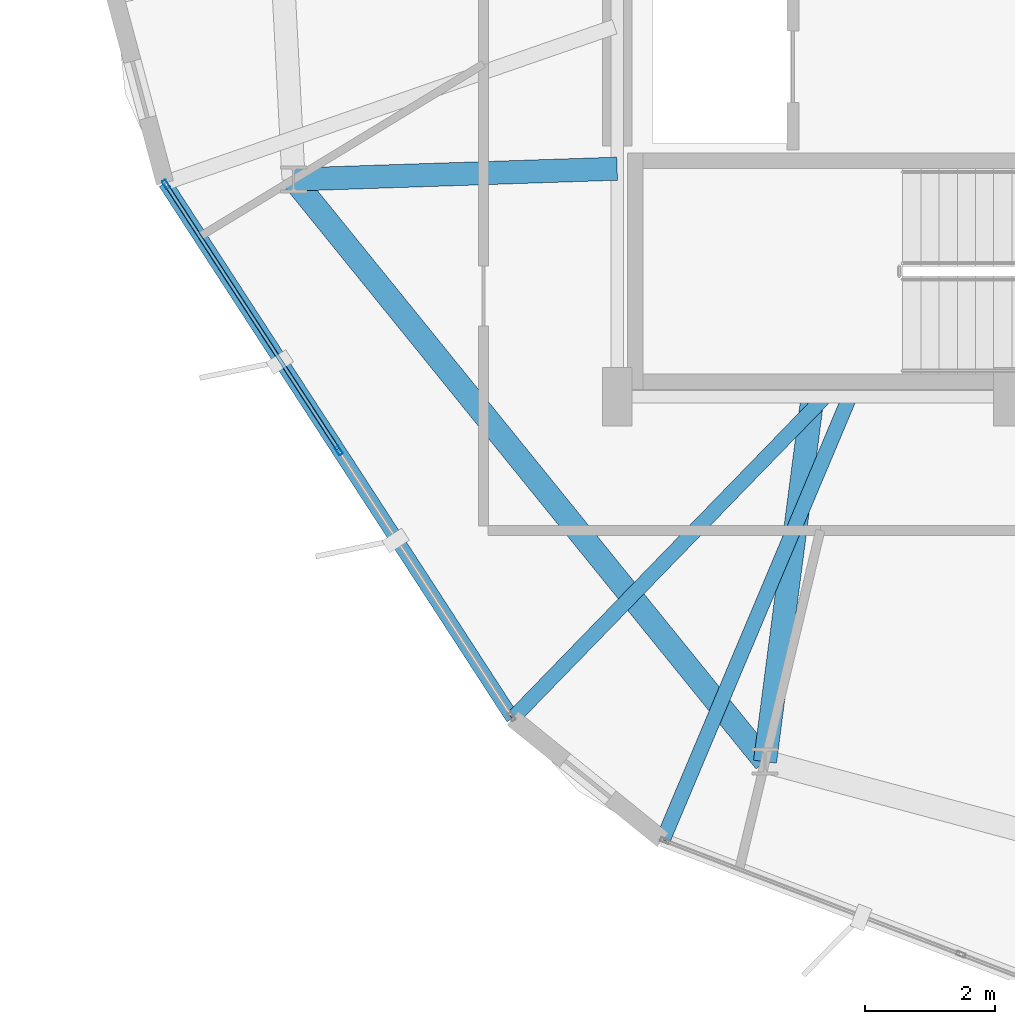
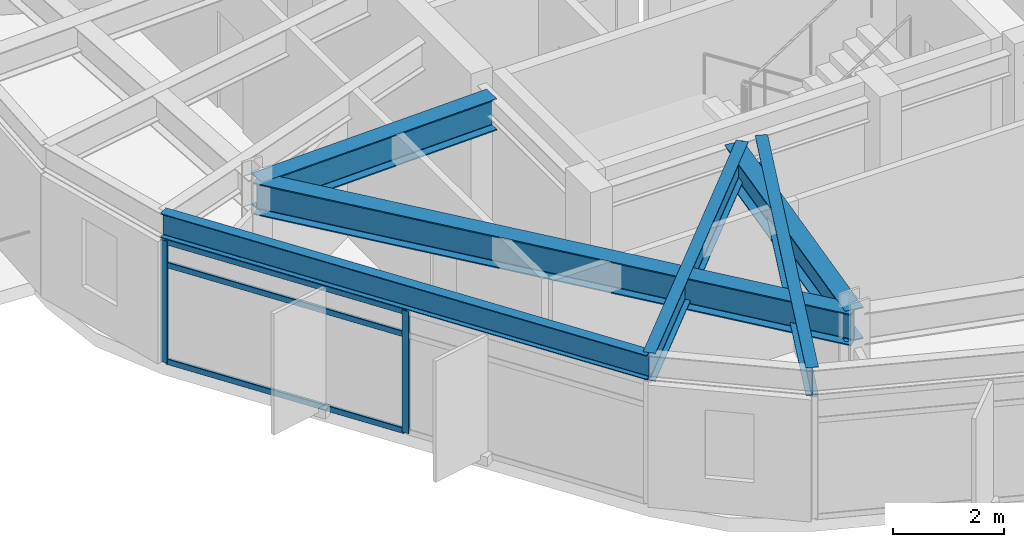
# One storey, part 3 of 29: 6 beams, 5 members, 1 element without a shape of its own.
"""IFC4 building model written with IfcOpenShell, lengths in metres."""

from ifc_helpers import new_model, si_unit, direction, frame, origin, origin_2d, place, context, subcontext, project, spatial, hollow_rectangle, i_section, extrude, material, layer, layer_set, material_profile, profile_set, type_object, element, aggregate, save


model = new_model("IFC4")

# Units and contexts
model_context = context("Model", 3, precision=1e-05, world=origin(), true_north=direction((0.0, 1.0)))
body_context = subcontext(model_context, "Body", "Model", "MODEL_VIEW")
ifc_project = project(units=[si_unit("LENGTHUNIT", "METRE"), si_unit("AREAUNIT", "SQUARE_METRE"), si_unit("VOLUMEUNIT", "CUBIC_METRE"), si_unit("PLANEANGLEUNIT", "RADIAN"), si_unit("MASSUNIT", "GRAM", prefix="KILO")], contexts=[model_context])

# Site, building, storey
site_placement = place(None, origin())
site = spatial("IfcSite", under=ifc_project, at=site_placement, CompositionType="ELEMENT")
building_placement = place(site_placement, origin())
building = spatial("IfcBuilding", under=site, at=building_placement, Name="Soratama Intermodal Tower", CompositionType="ELEMENT")
storey_placement = place(building_placement, frame((0.0, 0.0, 219.39990234375)))
storey = spatial("IfcBuildingStorey", under=building, at=storey_placement, Name="L55", CompositionType="ELEMENT", Elevation=219.39990234375)

# Beams
ifc_material_1 = material(Name="Structural steel ASTM A992 Grade 50", Category="steel")
ifc_material_profile_1 = material_profile(ifc_material_1, i_section(OverallWidth=0.35498046875, OverallDepth=0.695068359375, WebThickness=0.015380859375, FlangeThickness=0.02490234375, FilletRadius=0.01611328125, at=origin_2d()), Name="W27X146")
ifc_profile_set_1 = profile_set([ifc_material_profile_1], Name="Structural steel ASTM A992 Grade 50")
beam_type_1 = type_object("IfcBeamType", Name="BM-RING-W27X146", PredefinedType="BEAM", material=ifc_profile_set_1)
beam_1_placement = place(storey_placement, frame((27.635009765625, 18.333984375, 2.95263671875), z_axis=(0.629384551156, -0.777094001242, 0.0), x_axis=(0.777094001242, 0.629384551156, 0.0)))
element("IfcBeam", 1, at=beam_1_placement, inside=storey, type_object=beam_type_1, Name="BM-L55-RING-06", PredefinedType="BEAM", context=body_context, shape_type="SweptSolid", body=[
    extrude(i_section(OverallWidth=0.35498046875, OverallDepth=0.695068359375, WebThickness=0.015380859375, FlangeThickness=0.02490234375, FilletRadius=0.01611328125, at=origin_2d()), origin(), (0.0, 0.0, 1.0), 11.49560546875),
])
beam_2_placement = place(storey_placement, frame((32.60009765625, 18.5, 2.95263671875), z_axis=(-0.999441465401, -0.033417917907, 0.0), x_axis=(0.033417917907, -0.999441465401, 0.0)))
element("IfcBeam", 2, at=beam_2_placement, inside=storey, type_object=beam_type_1, Name="BM-L55-RAD-06", PredefinedType="BEAM", context=body_context, shape_type="SweptSolid", body=[
    extrude(i_section(OverallWidth=0.35498046875, OverallDepth=0.695068359375, WebThickness=0.015380859375, FlangeThickness=0.02490234375, FilletRadius=0.01611328125, at=origin_2d()), origin(), (0.0, 0.0, 1.0), 4.9677734375),
])
beam_3_placement = place(storey_placement, frame((35.60009765625, 15.0, 2.95263671875), z_axis=(-0.129280033694, -0.991608124658, 0.0), x_axis=(0.991608124658, -0.129280033694, 0.0)))
element("IfcBeam", 3, at=beam_3_placement, inside=storey, type_object=beam_type_1, Name="BM-L55-RAD-07", PredefinedType="BEAM", context=body_context, shape_type="SweptSolid", body=[
    extrude(i_section(OverallWidth=0.35498046875, OverallDepth=0.695068359375, WebThickness=0.015380859375, FlangeThickness=0.02490234375, FilletRadius=0.01611328125, at=origin_2d()), origin(), (0.0, 0.0, 1.0), 5.646484375),
])
ifc_material_2 = material(Name="Structural steel ASTM A992 Grade 50", Category="steel")
ifc_material_profile_2 = material_profile(ifc_material_2, i_section(OverallWidth=0.2099609375, OverallDepth=0.537109375, WebThickness=0.010986328125, FlangeThickness=0.017333984375, FilletRadius=0.012939453125, at=origin_2d()), Name="W21X68")
ifc_profile_set_2 = profile_set([ifc_material_profile_2], Name="Structural steel ASTM A992 Grade 50")
beam_type_2 = type_object("IfcBeamType", Name="BM-SPN-W21X68", PredefinedType="SPANDREL", material=ifc_profile_set_2)
beam_4_placement = place(storey_placement, frame((25.662109375, 18.282958984375, 3.031494140625), z_axis=(0.544619556087, -0.838683217388, 0.0), x_axis=(0.838683217388, 0.544619556087, 0.0)))
element("IfcBeam", 4, at=beam_4_placement, inside=storey, type_object=beam_type_2, Name="BS-L55-F05", PredefinedType="SPANDREL", context=body_context, shape_type="SweptSolid", body=[
    extrude(i_section(OverallWidth=0.2099609375, OverallDepth=0.537109375, WebThickness=0.010986328125, FlangeThickness=0.017333984375, FilletRadius=0.012939453125, at=origin_2d()), origin(), (0.0, 0.0, 1.0), 9.797607421875),
])
ifc_material_3 = material(Name="Structural steel ASTM A992 Grade 50", Category="steel")
ifc_material_profile_3 = material_profile(ifc_material_3, i_section(OverallWidth=0.22900390625, OverallDepth=0.612060546875, WebThickness=0.011962890625, FlangeThickness=0.01953125, FilletRadius=0.012939453125, at=origin_2d()), Name="W24X84")
ifc_profile_set_3 = profile_set([ifc_material_profile_3], Name="Structural steel ASTM A992 Grade 50")
beam_type_3 = type_object("IfcBeamType", Name="BM-TIE-W24X84", PredefinedType="BEAM", material=ifc_profile_set_3)
beam_5_placement = place(storey_placement, frame((35.760986328125, 14.970947265625, 2.994140625), z_axis=(-0.696639220958, -0.71742163044, 0.0), x_axis=(0.71742163044, -0.696639220958, 0.0)))
element("IfcBeam", 5, at=beam_5_placement, inside=storey, type_object=beam_type_3, Name="BM-L55-TIE1-05", PredefinedType="BEAM", context=body_context, shape_type="SweptSolid", body=[
    extrude(i_section(OverallWidth=0.22900390625, OverallDepth=0.612060546875, WebThickness=0.011962890625, FlangeThickness=0.01953125, FilletRadius=0.012939453125, at=origin_2d()), origin(), (0.0, 0.0, 1.0), 6.8369140625),
])
beam_6_placement = place(storey_placement, frame((36.153076171875, 14.962890625, 2.994140625), z_axis=(-0.388303831373, -0.921531407246, 0.0), x_axis=(0.921531407246, -0.388303831373, 0.0)))
element("IfcBeam", 6, at=beam_6_placement, inside=storey, type_object=beam_type_3, Name="BM-L55-TIE0-06", PredefinedType="BEAM", context=body_context, shape_type="SweptSolid", body=[
    extrude(i_section(OverallWidth=0.22900390625, OverallDepth=0.612060546875, WebThickness=0.011962890625, FlangeThickness=0.01953125, FilletRadius=0.012939453125, at=origin_2d()), origin(), (0.0, 0.0, 1.0), 7.33984375),
])

# Curtain wall, members
ifc_material_4 = material(Name="Double-glazed aluminium curtain wall", Category="aluminium")
ifc_layer = layer(ifc_material_4, 0.159912109375)
ifc_layer_set = layer_set([ifc_layer], Name="Double-glazed aluminium curtain wall")
curtain_wall_type = type_object("IfcCurtainWallType", Name="CW-SYS-5", PredefinedType="NOTDEFINED", material=ifc_layer_set)
curtain_wall_placement = place(storey_placement, origin())
curtain_wall = element("IfcCurtainWall", 7, at=curtain_wall_placement, inside=storey, type_object=curtain_wall_type, Name="L55 Faceted Curtain Wall F05", PredefinedType="NOTDEFINED")
ifc_material_5 = material(Name="Anodised aluminium AA 6063-T6", Category="aluminium")
ifc_material_profile_4 = material_profile(ifc_material_5, hollow_rectangle(XDim=0.06494140625, YDim=0.139892578125, WallThickness=0.0048828125, InnerFilletRadius=0.0048828125, OuterFilletRadius=0.010009765625, at=origin_2d()), Name="CWM140X65X5")
ifc_profile_set_4 = profile_set([ifc_material_profile_4], Name="Anodised aluminium AA 6063-T6")
member_type_1 = type_object("IfcMemberType", Name="MT-CWM-5", PredefinedType="MULLION", material=ifc_profile_set_4)
member_1_placement = place(storey_placement, frame((25.677978515625, 18.257568359375, 0.0), z_axis=(0.0, 0.0, 1.0), x_axis=(0.838669737789, 0.544640313342, 0.0)))
member_1 = element("IfcMember", 8, at=member_1_placement, type_object=member_type_1, Name="CW-5 mullion 1", PredefinedType="MULLION", context=body_context, shape_type="SweptSolid", body=[
    extrude(hollow_rectangle(XDim=0.06494140625, YDim=0.139892578125, WallThickness=0.0048828125, InnerFilletRadius=0.0048828125, OuterFilletRadius=0.010009765625, at=origin_2d()), origin(), (0.0, 0.0, 1.0), 2.67919921875),
])
member_2_placement = place(storey_placement, frame((28.32958984375, 14.17431640625, 0.0), z_axis=(0.0, 0.0, 1.0), x_axis=(0.838669737789, 0.544640313342, 0.0)))
member_2 = element("IfcMember", 9, at=member_2_placement, type_object=member_type_1, Name="CW-5 mullion 2", PredefinedType="MULLION", context=body_context, shape_type="SweptSolid", body=[
    extrude(hollow_rectangle(XDim=0.06494140625, YDim=0.139892578125, WallThickness=0.0048828125, InnerFilletRadius=0.0048828125, OuterFilletRadius=0.010009765625, at=origin_2d()), origin(), (0.0, 0.0, 1.0), 2.67919921875),
])
ifc_material_6 = material(Name="Anodised aluminium AA 6063-T6", Category="aluminium")
ifc_material_profile_5 = material_profile(ifc_material_6, hollow_rectangle(XDim=0.06005859375, YDim=0.1298828125, WallThickness=0.0048828125, InnerFilletRadius=0.0048828125, OuterFilletRadius=0.010009765625, at=origin_2d()), Name="CWT130X60X5")
ifc_profile_set_5 = profile_set([ifc_material_profile_5], Name="Anodised aluminium AA 6063-T6")
member_type_2 = type_object("IfcMemberType", Name="TT-CWT-2", PredefinedType="USERDEFINED", material=ifc_profile_set_5)
member_3_placement = place(storey_placement, frame((25.6943359375, 18.232421875, 0.030029296875), z_axis=(0.544654603171, -0.838660457661, 0.0), x_axis=(0.838660457661, 0.544654603171, 0.0)))
member_3 = element("IfcMember", 10, at=member_3_placement, type_object=member_type_2, Name="CW-5 transom 1.1", ObjectType="TRANSOM", PredefinedType="USERDEFINED", context=body_context, shape_type="SweptSolid", body=[
    extrude(hollow_rectangle(XDim=0.06005859375, YDim=0.1298828125, WallThickness=0.0048828125, InnerFilletRadius=0.0048828125, OuterFilletRadius=0.010009765625, at=origin_2d()), origin(), (0.0, 0.0, 1.0), 4.808837890625),
])
member_4_placement = place(storey_placement, frame((25.6943359375, 18.232421875, 2.150146484375), z_axis=(0.544654603171, -0.838660457661, 0.0), x_axis=(0.838660457661, 0.544654603171, 0.0)))
member_4 = element("IfcMember", 11, at=member_4_placement, type_object=member_type_2, Name="CW-5 transom 1.2", ObjectType="TRANSOM", PredefinedType="USERDEFINED", context=body_context, shape_type="SweptSolid", body=[
    extrude(hollow_rectangle(XDim=0.06005859375, YDim=0.1298828125, WallThickness=0.0048828125, InnerFilletRadius=0.0048828125, OuterFilletRadius=0.010009765625, at=origin_2d()), origin(), (0.0, 0.0, 1.0), 4.808837890625),
])
member_5_placement = place(storey_placement, frame((25.6943359375, 18.232421875, 2.649169921875), z_axis=(0.544654603171, -0.838660457661, 0.0), x_axis=(0.838660457661, 0.544654603171, 0.0)))
member_5 = element("IfcMember", 12, at=member_5_placement, type_object=member_type_2, Name="CW-5 transom 1.3", ObjectType="TRANSOM", PredefinedType="USERDEFINED", context=body_context, shape_type="SweptSolid", body=[
    extrude(hollow_rectangle(XDim=0.06005859375, YDim=0.1298828125, WallThickness=0.0048828125, InnerFilletRadius=0.0048828125, OuterFilletRadius=0.010009765625, at=origin_2d()), origin(), (0.0, 0.0, 1.0), 4.808837890625),
])
aggregate(curtain_wall, [member_1, member_2, member_3, member_4, member_5])

save(model, "model.ifc")
